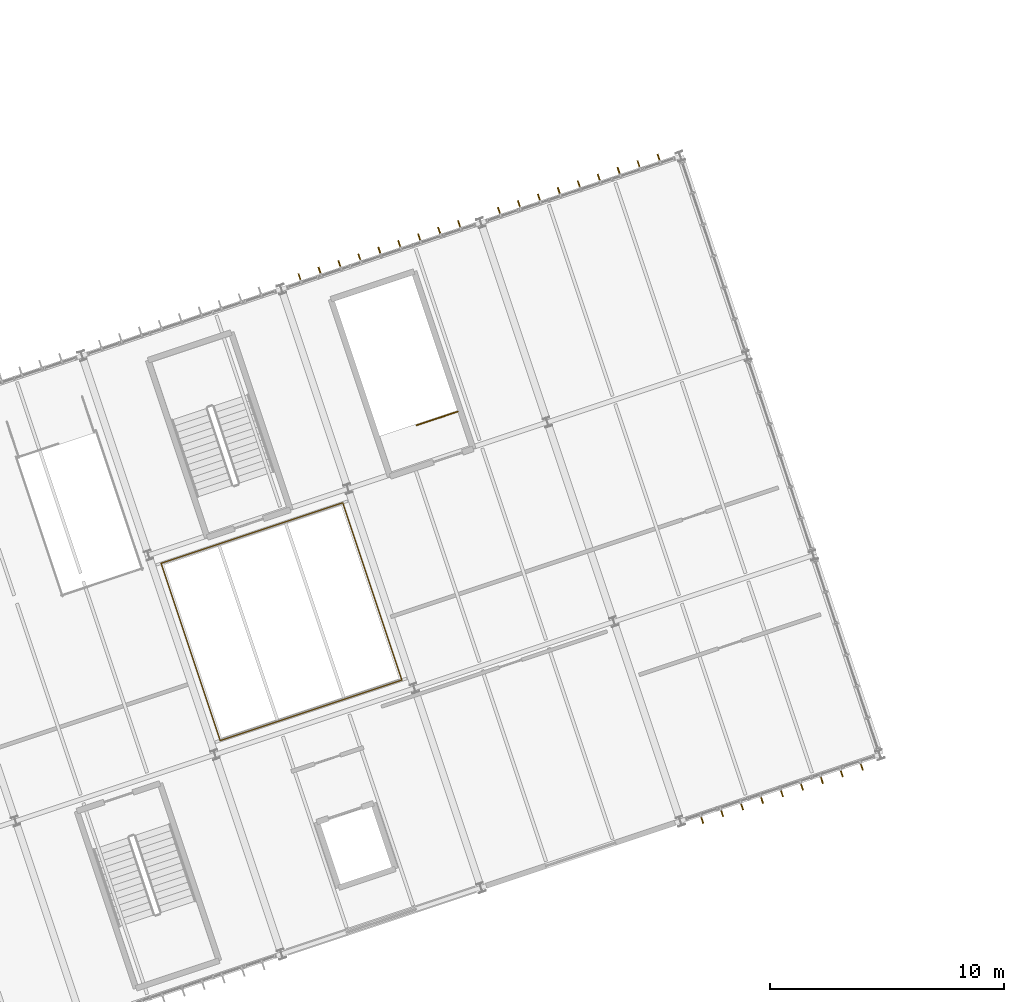
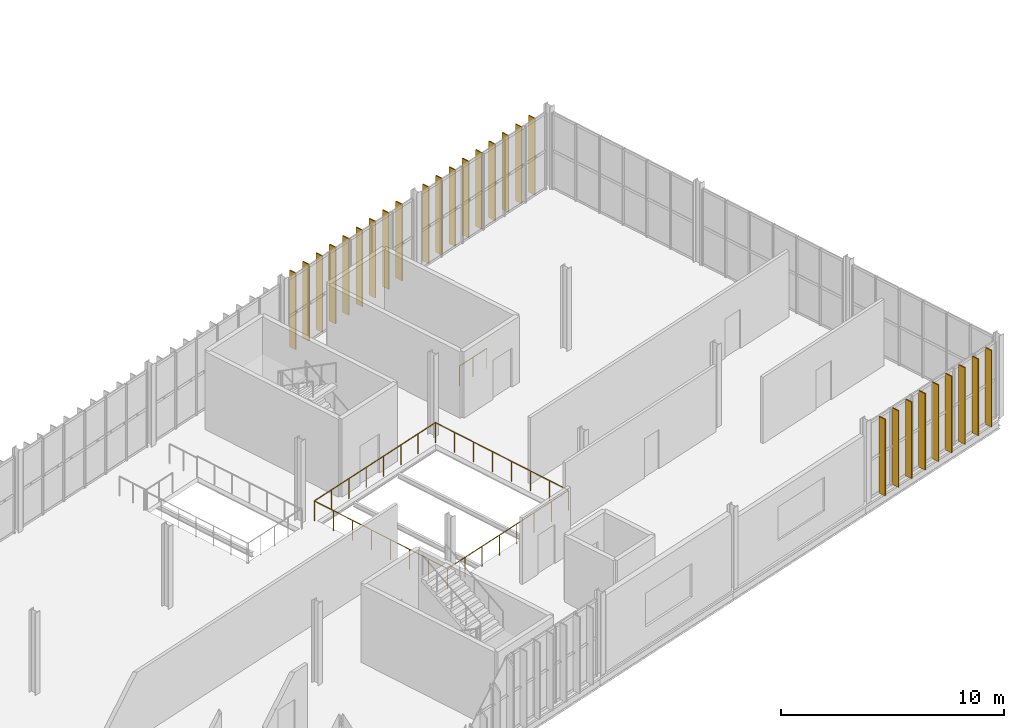
# One storey, part 150 of 152: 27 shading devices, 2 railings.
"""IFC4 building model written with IfcOpenShell, lengths in metres."""

from ifc_helpers import new_model, si_unit, derived_unit, direction, frame, origin, origin_2d, place, context, subcontext, project, spatial, rectangle, circle, extrude, material, layer, layer_set, type_object, element, save


model = new_model("IFC4")

# Units and contexts
model_context = context("Model", 3, precision=1e-05, world=origin(), true_north=direction((0.0, 1.0)))
body_context = subcontext(model_context, "Body", "Model", "MODEL_VIEW")
ifc_project = project(units=[si_unit("LENGTHUNIT", "METRE"), si_unit("AREAUNIT", "SQUARE_METRE"), si_unit("VOLUMEUNIT", "CUBIC_METRE"), si_unit("PLANEANGLEUNIT", "RADIAN"), si_unit("MASSUNIT", "GRAM", prefix="KILO"), si_unit("THERMODYNAMICTEMPERATUREUNIT", "KELVIN"), si_unit("TIMEUNIT", "SECOND"), derived_unit("THERMALTRANSMITTANCEUNIT", [(si_unit("MASSUNIT", "GRAM", prefix="KILO"), 1), (si_unit("THERMODYNAMICTEMPERATUREUNIT", "KELVIN"), -1), (si_unit("TIMEUNIT", "SECOND"), -3)])], contexts=[model_context])

# Site, building, storey
site_placement = place(None, origin())
site = spatial("IfcSite", under=ifc_project, at=site_placement, CompositionType="ELEMENT")
building_placement = place(site_placement, origin())
building = spatial("IfcBuilding", under=site, at=building_placement, Name="Cambertide Market Hall", CompositionType="ELEMENT")
storey_placement = place(building_placement, frame((0.0, 0.0, 5.39990234375)))
storey = spatial("IfcBuildingStorey", under=building, at=storey_placement, Name="L02", CompositionType="ELEMENT", Elevation=5.39990234375)

# Railings
ifc_material_1 = material(Name="Stainless Steel Grade 316", Category="metal")
railing_type_1 = type_object("IfcRailingType", Name="Interior Atrium & Void Guardrail 1120", PredefinedType="GUARDRAIL", material=ifc_material_1)
railing_1_placement = place(storey_placement, frame((137.52783203125, 32.523193359375, 0.0)))
element("IfcRailing", 1, at=railing_1_placement, inside=storey, type_object=railing_type_1, Name="Level 2 V3 Atrium Void Guardrail", PredefinedType="GUARDRAIL", context=body_context, shape_type="SweptSolid", body=[
    extrude(circle(Radius=0.02392578125, at=origin_2d()), frame((0.0, 0.0, 1.09619140625), z_axis=(0.948686275307, 0.316218834108, 0.0), x_axis=(-0.316218834108, 0.948686275307, 0.0)), (0.0, 0.0, 1.0), 8.199951171875),
    extrude(circle(Radius=0.02392578125, at=origin_2d()), frame((7.779296875, 2.593017578125, 1.09619140625), z_axis=(-0.31621861086, 0.94868634972, 0.0), x_axis=(-0.94868634972, -0.31621861086, 0.0)), (0.0, 0.0, 1.0), 8.0),
    extrude(circle(Radius=0.02392578125, at=origin_2d()), frame((5.24951171875, 10.1826171875, 1.09619140625), z_axis=(-0.948677343342, -0.316245629581, 0.0), x_axis=(0.316245629581, -0.948677343342, 0.0)), (0.0, 0.0, 1.0), 8.2001953125),
    extrude(circle(Radius=0.02392578125, at=origin_2d()), frame((-2.52978515625, 7.58935546875, 1.09619140625), z_axis=(0.316227766017, -0.948683298051, 0.0), x_axis=(0.948683298051, 0.316227766017, 0.0)), (0.0, 0.0, 1.0), 8.0),
    extrude(circle(Radius=0.02099609375, at=origin_2d()), origin(), (0.0, 0.0, 1.0), 1.072021484375),
    extrude(circle(Radius=0.02099609375, at=origin_2d()), frame((1.111328125, 0.370361328125, 0.0)), (0.0, 0.0, 1.0), 1.072021484375),
    extrude(circle(Radius=0.02099609375, at=origin_2d()), frame((2.22265625, 0.740966796875, 0.0)), (0.0, 0.0, 1.0), 1.072021484375),
    extrude(circle(Radius=0.02099609375, at=origin_2d()), frame((3.333984375, 1.111328125, 0.0)), (0.0, 0.0, 1.0), 1.072021484375),
    extrude(circle(Radius=0.02099609375, at=origin_2d()), frame((4.4453125, 1.481689453125, 0.0)), (0.0, 0.0, 1.0), 1.072021484375),
    extrude(circle(Radius=0.02099609375, at=origin_2d()), frame((5.556640625, 1.85205078125, 0.0)), (0.0, 0.0, 1.0), 1.072021484375),
    extrude(circle(Radius=0.02099609375, at=origin_2d()), frame((6.66796875, 2.22265625, 0.0)), (0.0, 0.0, 1.0), 1.072021484375),
    extrude(circle(Radius=0.02099609375, at=origin_2d()), frame((7.779296875, 2.593017578125, 0.0)), (0.0, 0.0, 1.0), 1.072021484375),
    extrude(circle(Radius=0.02099609375, at=origin_2d()), frame((7.41796875, 3.67724609375, 0.0)), (0.0, 0.0, 1.0), 1.072021484375),
    extrude(circle(Radius=0.02099609375, at=origin_2d()), frame((7.056396484375, 4.761474609375, 0.0)), (0.0, 0.0, 1.0), 1.072021484375),
    extrude(circle(Radius=0.02099609375, at=origin_2d()), frame((6.695068359375, 5.845703125, 0.0)), (0.0, 0.0, 1.0), 1.072021484375),
    extrude(circle(Radius=0.02099609375, at=origin_2d()), frame((6.333740234375, 6.929931640625, 0.0)), (0.0, 0.0, 1.0), 1.072021484375),
    extrude(circle(Radius=0.02099609375, at=origin_2d()), frame((5.972412109375, 8.01416015625, 0.0)), (0.0, 0.0, 1.0), 1.072021484375),
    extrude(circle(Radius=0.02099609375, at=origin_2d()), frame((5.61083984375, 9.098388671875, 0.0)), (0.0, 0.0, 1.0), 1.072021484375),
    extrude(circle(Radius=0.02099609375, at=origin_2d()), frame((5.24951171875, 10.1826171875, 0.0)), (0.0, 0.0, 1.0), 1.072021484375),
    extrude(circle(Radius=0.02099609375, at=origin_2d()), frame((4.13818359375, 9.812255859375, 0.0)), (0.0, 0.0, 1.0), 1.072021484375),
    extrude(circle(Radius=0.02099609375, at=origin_2d()), frame((3.02685546875, 9.441650390625, 0.0)), (0.0, 0.0, 1.0), 1.072021484375),
    extrude(circle(Radius=0.02099609375, at=origin_2d()), frame((1.91552734375, 9.0712890625, 0.0)), (0.0, 0.0, 1.0), 1.072021484375),
    extrude(circle(Radius=0.02099609375, at=origin_2d()), frame((0.80419921875, 8.70068359375, 0.0)), (0.0, 0.0, 1.0), 1.072021484375),
    extrude(circle(Radius=0.02099609375, at=origin_2d()), frame((-0.30712890625, 8.330322265625, 0.0)), (0.0, 0.0, 1.0), 1.072021484375),
    extrude(circle(Radius=0.02099609375, at=origin_2d()), frame((-1.41845703125, 7.959716796875, 0.0)), (0.0, 0.0, 1.0), 1.072021484375),
    extrude(circle(Radius=0.02099609375, at=origin_2d()), frame((-2.52978515625, 7.58935546875, 0.0)), (0.0, 0.0, 1.0), 1.072021484375),
    extrude(circle(Radius=0.02099609375, at=origin_2d()), frame((-2.16845703125, 6.505126953125, 0.0)), (0.0, 0.0, 1.0), 1.072021484375),
    extrude(circle(Radius=0.02099609375, at=origin_2d()), frame((-1.806884765625, 5.4208984375, 0.0)), (0.0, 0.0, 1.0), 1.072021484375),
    extrude(circle(Radius=0.02099609375, at=origin_2d()), frame((-1.445556640625, 4.336669921875, 0.0)), (0.0, 0.0, 1.0), 1.072021484375),
    extrude(circle(Radius=0.02099609375, at=origin_2d()), frame((-1.084228515625, 3.252685546875, 0.0)), (0.0, 0.0, 1.0), 1.072021484375),
    extrude(circle(Radius=0.02099609375, at=origin_2d()), frame((-0.722900390625, 2.16845703125, 0.0)), (0.0, 0.0, 1.0), 1.072021484375),
    extrude(circle(Radius=0.02099609375, at=origin_2d()), frame((-0.361328125, 1.084228515625, 0.0)), (0.0, 0.0, 1.0), 1.072021484375),
])
ifc_material_2 = material(Name="Stainless Steel Grade 316", Category="metal")
railing_type_2 = type_object("IfcRailingType", Name="Stairwell Inner Guardrail 1100", PredefinedType="GUARDRAIL", material=ifc_material_2)
railing_2_placement = place(storey_placement, frame((147.694580078125, 46.611083984375, 0.0)))
element("IfcRailing", 2, at=railing_2_placement, inside=storey, type_object=railing_type_2, Name="Level 2 ST-05B top well guard 1", PredefinedType="GUARDRAIL", context=body_context, shape_type="SweptSolid", body=[
    extrude(circle(Radius=0.02392578125, at=origin_2d()), frame((0.0, 0.0, 1.076171875), z_axis=(-0.948696493726, -0.316188176237, 0.0), x_axis=(0.316188176237, -0.948696493726, 0.0)), (0.0, 0.0, 1.0), 1.85009765625),
    extrude(circle(Radius=0.02099609375, at=origin_2d()), origin(), (0.0, 0.0, 1.0), 1.052001953125),
    extrude(circle(Radius=0.02099609375, at=origin_2d()), frame((-0.87744140625, -0.29248046875, 0.0)), (0.0, 0.0, 1.0), 1.052001953125),
    extrude(circle(Radius=0.02099609375, at=origin_2d()), frame((-1.755126953125, -0.5849609375, 0.0)), (0.0, 0.0, 1.0), 1.052001953125),
])

# Shading devices
ifc_material_3 = material(Name="Champagne Marine Anodized Aluminium 6063-T6 AA25", Category="aluminium")
ifc_layer = layer(ifc_material_3, 0.054931640625, Name="Wing Facade Vertical Sun Fin 380x55")
ifc_layer_set = layer_set([ifc_layer], Name="Champagne Marine Anodized Aluminium 6063-T6 AA25")
shading_device_type = type_object("IfcShadingDeviceType", Name="Wing Facade Vertical Sun Fin 380x55", PredefinedType="JALOUSIE", material=ifc_layer_set)
for number, where, z_axis, x_axis, name in (
    (3, (140.93994140625, 52.32861328125, 0.0), (0.0, 0.0, 1.0), (0.948683274577, 0.316227836438, 0.0), "CW-V3N-L02-6 Vertical Fin 1"),
    (4, (141.793701171875, 52.613037109375, 0.0), (0.0, 0.0, 1.0), (0.948683274577, 0.316227836438, 0.0), "CW-V3N-L02-6 Vertical Fin 2"),
    (5, (142.647705078125, 52.897705078125, 0.0), (0.0, 0.0, 1.0), (0.948683274577, 0.316227836438, 0.0), "CW-V3N-L02-6 Vertical Fin 3"),
    (6, (143.50146484375, 53.182373046875, 0.0), (0.0, 0.0, 1.0), (0.948683274577, 0.316227836438, 0.0), "CW-V3N-L02-6 Vertical Fin 4"),
    (7, (144.355224609375, 53.467041015625, 0.0), (0.0, 0.0, 1.0), (0.948683274577, 0.316227836438, 0.0), "CW-V3N-L02-6 Vertical Fin 5"),
    (8, (145.208984375, 53.75146484375, 0.0), (0.0, 0.0, 1.0), (0.948683274577, 0.316227836438, 0.0), "CW-V3N-L02-6 Vertical Fin 6"),
    (9, (146.06298828125, 54.0361328125, 0.0), (0.0, 0.0, 1.0), (0.948683274577, 0.316227836438, 0.0), "CW-V3N-L02-6 Vertical Fin 7"),
    (10, (146.916748046875, 54.32080078125, 0.0), (0.0, 0.0, 1.0), (0.948683274577, 0.316227836438, 0.0), "CW-V3N-L02-6 Vertical Fin 8"),
    (11, (147.7705078125, 54.60546875, 0.0), (0.0, 0.0, 1.0), (0.948683274577, 0.316227836438, 0.0), "CW-V3N-L02-6 Vertical Fin 9"),
    (12, (149.478271484375, 55.174560546875, 0.0), (0.0, 0.0, 1.0), (0.948683286311, 0.316227801236, 0.0), "CW-V3N-L02-7 Vertical Fin 1"),
    (13, (150.33203125, 55.459228515625, 0.0), (0.0, 0.0, 1.0), (0.948683286311, 0.316227801236, 0.0), "CW-V3N-L02-7 Vertical Fin 2"),
    (14, (151.185791015625, 55.743896484375, 0.0), (0.0, 0.0, 1.0), (0.948683286311, 0.316227801236, 0.0), "CW-V3N-L02-7 Vertical Fin 3"),
    (15, (152.03955078125, 56.0283203125, 0.0), (0.0, 0.0, 1.0), (0.948683286311, 0.316227801236, 0.0), "CW-V3N-L02-7 Vertical Fin 4"),
    (16, (152.893310546875, 56.31298828125, 0.0), (0.0, 0.0, 1.0), (0.948683286311, 0.316227801236, 0.0), "CW-V3N-L02-7 Vertical Fin 5"),
    (17, (153.747314453125, 56.59765625, 0.0), (0.0, 0.0, 1.0), (0.948683286311, 0.316227801236, 0.0), "CW-V3N-L02-7 Vertical Fin 6"),
    (18, (154.60107421875, 56.88232421875, 0.0), (0.0, 0.0, 1.0), (0.948683286311, 0.316227801236, 0.0), "CW-V3N-L02-7 Vertical Fin 7"),
    (19, (155.454833984375, 57.166748046875, 0.0), (0.0, 0.0, 1.0), (0.948683286311, 0.316227801236, 0.0), "CW-V3N-L02-7 Vertical Fin 8"),
    (20, (156.30859375, 57.451416015625, 0.0), (0.0, 0.0, 1.0), (0.948683286311, 0.316227801236, 0.0), "CW-V3N-L02-7 Vertical Fin 9"),
    (21, (164.979736328125, 31.4384765625, 0.0), (0.0, 0.0, 1.0), (-0.948683286311, -0.316227801236, 0.0), "CW-V3S-L02-7 Vertical Fin 1"),
    (22, (164.125732421875, 31.15380859375, 0.0), (0.0, 0.0, 1.0), (-0.948683286311, -0.316227801236, 0.0), "CW-V3S-L02-7 Vertical Fin 2"),
    (23, (163.27197265625, 30.869384765625, 0.0), (0.0, 0.0, 1.0), (-0.948683286311, -0.316227801236, 0.0), "CW-V3S-L02-7 Vertical Fin 3"),
    (24, (162.418212890625, 30.584716796875, 0.0), (0.0, 0.0, 1.0), (-0.948683286311, -0.316227801236, 0.0), "CW-V3S-L02-7 Vertical Fin 4"),
    (25, (161.564453125, 30.300048828125, 0.0), (0.0, 0.0, 1.0), (-0.948683286311, -0.316227801236, 0.0), "CW-V3S-L02-7 Vertical Fin 5"),
    (26, (160.71044921875, 30.015380859375, 0.0), (0.0, 0.0, 1.0), (-0.948683286311, -0.316227801236, 0.0), "CW-V3S-L02-7 Vertical Fin 6"),
    (27, (159.856689453125, 29.73095703125, 0.0), (0.0, 0.0, 1.0), (-0.948683286311, -0.316227801236, 0.0), "CW-V3S-L02-7 Vertical Fin 7"),
    (28, (159.0029296875, 29.4462890625, 0.0), (0.0, 0.0, 1.0), (-0.948683286311, -0.316227801236, 0.0), "CW-V3S-L02-7 Vertical Fin 8"),
    (29, (158.149169921875, 29.16162109375, 0.0), (0.0, 0.0, 1.0), (-0.948683286311, -0.316227801236, 0.0), "CW-V3S-L02-7 Vertical Fin 9"),
):
    element("IfcShadingDevice", number, at=place(storey_placement, frame(where, z_axis=z_axis, x_axis=x_axis)), inside=storey, type_object=shading_device_type, Name=name, PredefinedType="JALOUSIE", context=body_context, shape_type="SweptSolid", body=[
        extrude(rectangle(XDim=0.054931640625, YDim=0.3798828125, at=origin_2d()), origin(), (0.0, 0.0, 1.0), 4.199951171875),
    ])

save(model, "model.ifc")
